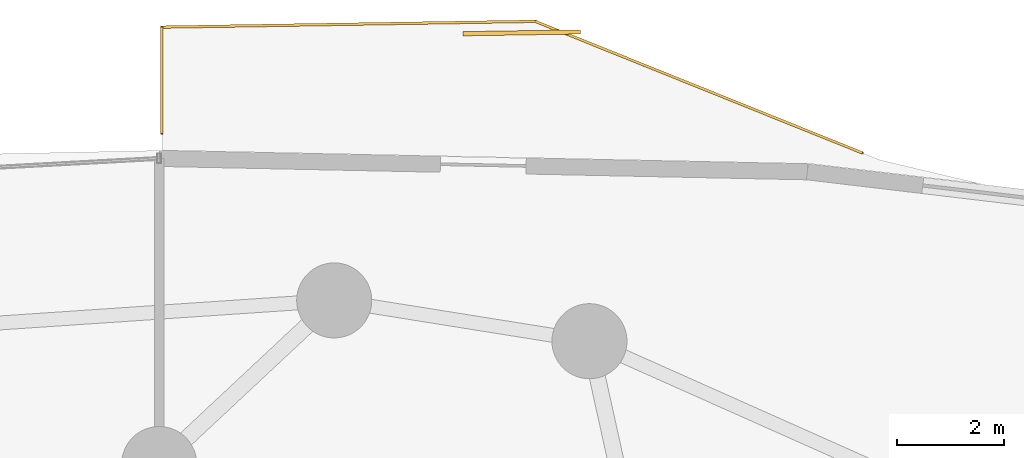
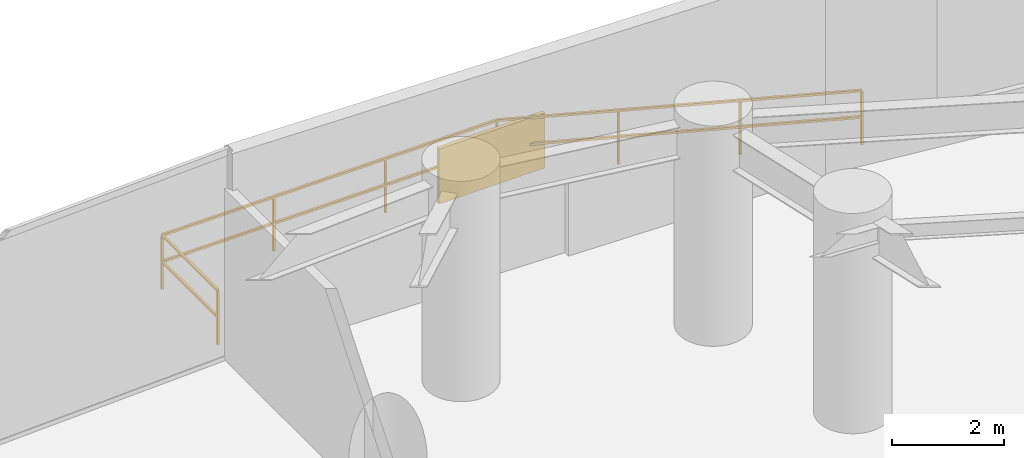
# One storey, part 31 of 32: 2 railings, 1 shading device.
"""IFC4 building model written with IfcOpenShell, lengths in metres."""

from ifc_helpers import new_model, si_unit, direction, frame, origin, origin_2d, place, context, subcontext, project, spatial, rectangle, extrude, material, type_object, element, save


model = new_model("IFC4")

# Units and contexts
model_context = context("Model", 3, precision=1e-05, world=origin(), true_north=direction((0.0, 1.0)))
body_context = subcontext(model_context, "Body", "Model", "MODEL_VIEW")
ifc_project = project(units=[si_unit("LENGTHUNIT", "METRE"), si_unit("AREAUNIT", "SQUARE_METRE"), si_unit("VOLUMEUNIT", "CUBIC_METRE"), si_unit("PLANEANGLEUNIT", "RADIAN"), si_unit("MASSUNIT", "GRAM", prefix="KILO")], contexts=[model_context])

# Site, building, storey
site_placement = place(None, origin())
site = spatial("IfcSite", under=ifc_project, at=site_placement, CompositionType="ELEMENT")
building_placement = place(site_placement, origin())
building = spatial("IfcBuilding", under=site, at=building_placement, Name="Vorneva Point Tower", CompositionType="ELEMENT")
storey_placement = place(building_placement, frame((0.0, 0.0, 19.199951171875)))
storey = spatial("IfcBuildingStorey", under=building, at=storey_placement, Name="L04", CompositionType="ELEMENT", Elevation=19.199951171875)

# Railings
ifc_material = material(Name="Pale anodised aluminium", Category="aluminium")
railing_type = type_object("IfcRailingType", Name="RL-BAL-1200", PredefinedType="BALUSTRADE", material=ifc_material)
railing_1_placement = place(storey_placement, frame((38.050048828125, 51.350830078125, 0.0)))
element("IfcRailing", 1, at=railing_1_placement, inside=storey, type_object=railing_type, Name="L04 Wave Balcony Balustrade NE.1", PredefinedType="BALUSTRADE", context=body_context, shape_type="SweptSolid", body=[
    extrude(rectangle(XDim=0.048095703125, YDim=0.048095703125, at=origin_2d()), frame((0.0, 0.0, 1.17578125), z_axis=(0.0, -1.0, 0.0), x_axis=(1.0, 0.0, 0.0)), (0.0, 0.0, 1.0), 1.98291015625),
    extrude(rectangle(XDim=0.048095703125, YDim=0.048095703125, at=origin_2d()), frame((0.0, 0.0, 0.60009765625), z_axis=(0.0, -1.0, 0.0), x_axis=(1.0, 0.0, 0.0)), (0.0, 0.0, 1.0), 1.98291015625),
    extrude(rectangle(XDim=0.0419921875, YDim=0.0419921875, at=origin_2d()), origin(), (0.0, 0.0, 1.0), 1.15185546875),
    extrude(rectangle(XDim=0.0419921875, YDim=0.0419921875, at=origin_2d()), frame((0.0, -1.98291015625, 0.0)), (0.0, 0.0, 1.0), 1.15185546875),
])
railing_2_placement = place(storey_placement, frame((51.1162109375, 49.004150390625, 0.0)))
element("IfcRailing", 2, at=railing_2_placement, inside=storey, type_object=railing_type, Name="L04 Wave Balcony Balustrade NE.2", PredefinedType="BALUSTRADE", context=body_context, shape_type="SweptSolid", body=[
    extrude(rectangle(XDim=0.048095703125, YDim=0.048095703125, at=origin_2d()), frame((0.0, 0.0, 1.17578125), z_axis=(-0.927742842267, 0.373220067282, 0.0), x_axis=(-0.373220067282, -0.927742842267, 0.0)), (0.0, 0.0, 1.0), 6.578125),
    extrude(rectangle(XDim=0.048095703125, YDim=0.048095703125, at=origin_2d()), frame((0.0, 0.0, 0.60009765625), z_axis=(-0.927742842267, 0.373220067282, 0.0), x_axis=(-0.373220067282, -0.927742842267, 0.0)), (0.0, 0.0, 1.0), 6.578125),
    extrude(rectangle(XDim=0.048095703125, YDim=0.048095703125, at=origin_2d()), frame((-6.102783203125, 2.455078125, 1.17578125), z_axis=(-0.99987885735, -0.015565044971, 0.0), x_axis=(0.015565044971, -0.99987885735, 0.0)), (0.0, 0.0, 1.0), 6.964111328125),
    extrude(rectangle(XDim=0.048095703125, YDim=0.048095703125, at=origin_2d()), frame((-6.102783203125, 2.455078125, 0.60009765625), z_axis=(-0.99987885735, -0.015565044971, 0.0), x_axis=(0.015565044971, -0.99987885735, 0.0)), (0.0, 0.0, 1.0), 6.964111328125),
    extrude(rectangle(XDim=0.0419921875, YDim=0.0419921875, at=origin_2d()), origin(), (0.0, 0.0, 1.0), 1.15185546875),
    extrude(rectangle(XDim=0.0419921875, YDim=0.0419921875, at=origin_2d()), frame((-2.0341796875, 0.818359375, 0.0)), (0.0, 0.0, 1.0), 1.15185546875),
    extrude(rectangle(XDim=0.0419921875, YDim=0.0419921875, at=origin_2d()), frame((-4.068603515625, 1.63671875, 0.0)), (0.0, 0.0, 1.0), 1.15185546875),
    extrude(rectangle(XDim=0.0419921875, YDim=0.0419921875, at=origin_2d()), frame((-6.102783203125, 2.455078125, 0.0)), (0.0, 0.0, 1.0), 1.15185546875),
    extrude(rectangle(XDim=0.0419921875, YDim=0.0419921875, at=origin_2d()), frame((-8.423828125, 2.4189453125, 0.0)), (0.0, 0.0, 1.0), 1.15185546875),
    extrude(rectangle(XDim=0.0419921875, YDim=0.0419921875, at=origin_2d()), frame((-10.7451171875, 2.3828125, 0.0)), (0.0, 0.0, 1.0), 1.15185546875),
    extrude(rectangle(XDim=0.0419921875, YDim=0.0419921875, at=origin_2d()), frame((-13.066162109375, 2.3466796875, 0.0)), (0.0, 0.0, 1.0), 1.15185546875),
])

# Shading device
shading_device_type = type_object("IfcShadingDeviceType", Name="SHD-JAL-1200", PredefinedType="JALOUSIE", material=ifc_material)
shading_device_placement = place(storey_placement, frame((44.763427734375, 51.243896484375, -0.02001953125), z_axis=(0.0, 0.0, 1.0), x_axis=(-0.99987854403, -0.015585159219, 0.0)))
element("IfcShadingDevice", 3, at=shading_device_placement, inside=storey, type_object=shading_device_type, Name="L04 Balcony Vertical-Greenery Planter Screen NE.2", PredefinedType="JALOUSIE", context=body_context, shape_type="SweptSolid", body=[
    extrude(rectangle(XDim=2.199951171875, YDim=0.080078125, at=origin_2d()), origin(), (0.0, 0.0, 1.0), 1.199951171875),
])

save(model, "model.ifc")
